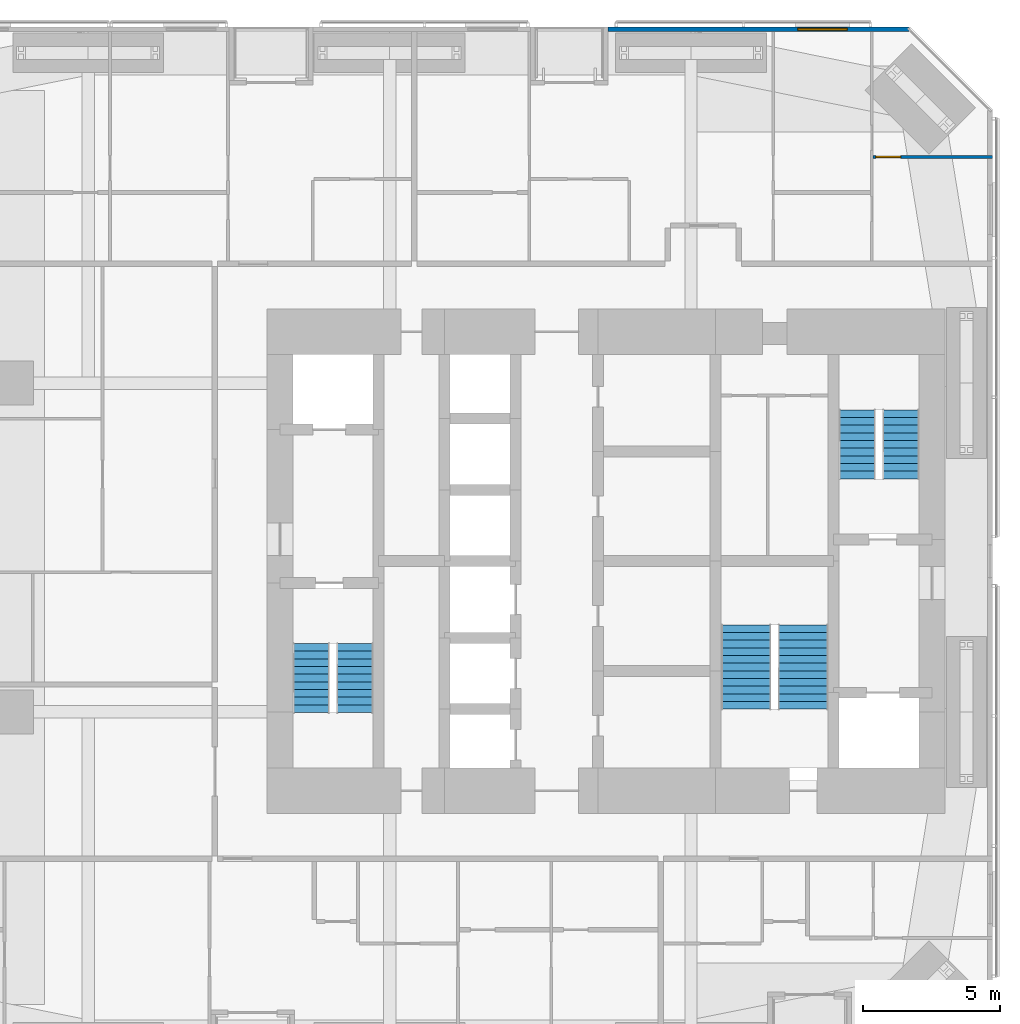
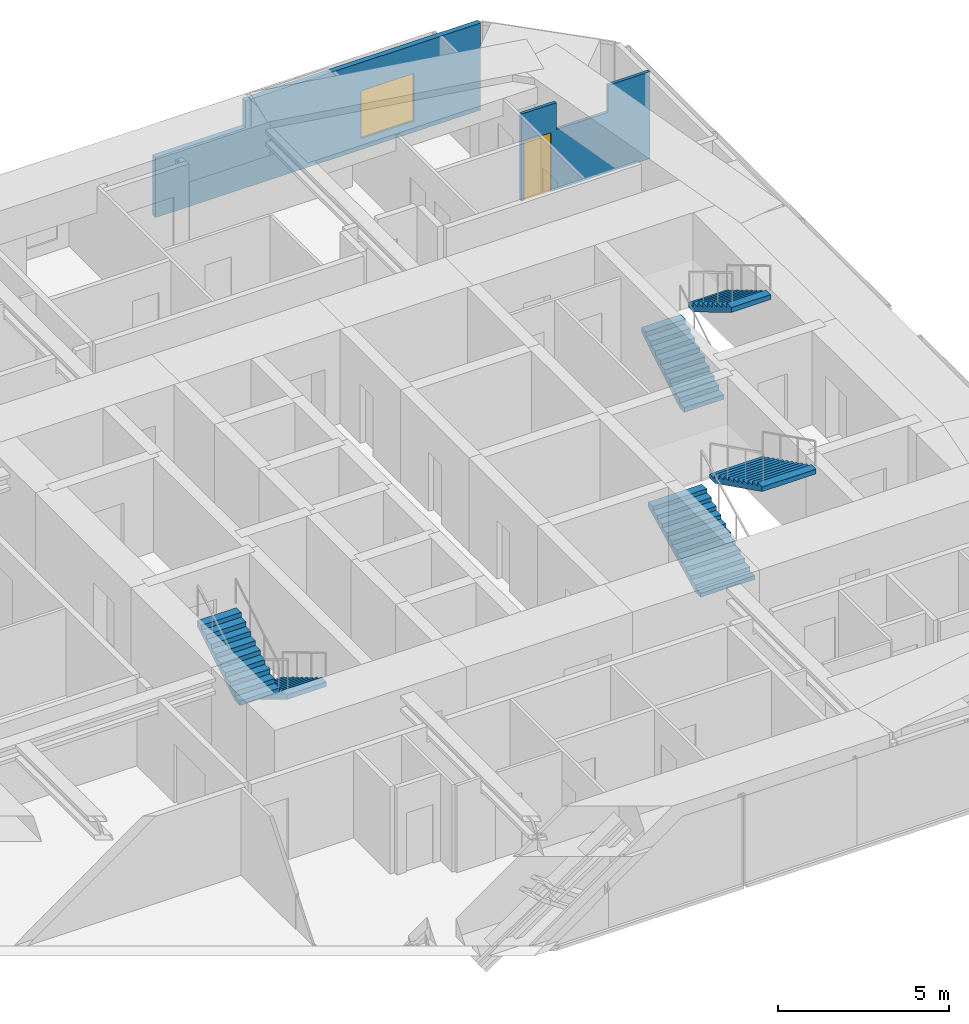
# One storey, part 21 of 22: 6 stair flights, 2 walls, 1 door, 1 window, 2 openings, 3 elements without a shape of their own.
"""IFC4 building model written with IfcOpenShell, lengths in metres."""

import ifcopenshell
import ifcopenshell.guid

model = None  # the IFC model being written
_history = None  # IfcOwnerHistory: only IFC2X3 demands one
_inside = {}  # id of a spatial element -> (the spatial element, [elements in it])
_under = {}  # id of a project, library or spatial element -> (it, [spatial elements below it])
_declared = {}  # id of a project -> (the project, [libraries it declares])
_typed = {}  # id of a type object -> (the type object, [elements of that type])
_made_of = {}  # id of a material, layer set ... -> (it, [elements and type objects made of it])


def new_model(schema):
    """Start an empty IFC model of exactly this schema.

    Asked for "IFC4X3", IfcOpenShell would pick the latest addendum, in which some entities
    have other attributes; the version numbers below select the first issue.
    IFC2X3 requires an IfcOwnerHistory on every rooted entity: one is made here for all.
    """
    global model, _history
    if schema == "IFC4X3":
        model = ifcopenshell.file(schema_version=(4, 3, 0, 0))
    else:
        model = ifcopenshell.file(schema=schema)
    _inside.clear()
    _under.clear()
    _declared.clear()
    _typed.clear()
    _made_of.clear()
    _history = None
    if model.schema == "IFC2X3":
        org = make("IfcOrganization", Name="unknown")
        user = make(
            "IfcPersonAndOrganization",
            ThePerson=make("IfcPerson", FamilyName="unknown"),
            TheOrganization=org,
        )
        app = make(
            "IfcApplication",
            ApplicationDeveloper=org,
            Version="unknown",
            ApplicationFullName="unknown",
            ApplicationIdentifier="unknown",
        )
        _history = make(
            "IfcOwnerHistory",
            OwningUser=user,
            OwningApplication=app,
            ChangeAction="ADDED",
            CreationDate=0,
        )
    return model


def make(cls, **values):
    """One entity of the class cls with the attributes given. An attribute that is None is left unset."""
    return model.create_entity(
        cls, **{name: value for name, value in values.items() if value is not None}
    )


def rooted(cls, **values):
    """An entity with a GlobalId (a new one), such as an element, a storey or a relation."""
    return make(cls, GlobalId=ifcopenshell.guid.new(), OwnerHistory=_history, **values)


def si_unit(unit_type, name, prefix=None):
    """IfcSIUnit, for example si_unit("LENGTHUNIT", "METRE", prefix="MILLI")."""
    return make("IfcSIUnit", UnitType=unit_type, Prefix=prefix, Name=name)


def assignment(units):
    """IfcUnitAssignment: the units of a project."""
    return None if units is None else make("IfcUnitAssignment", Units=units)


def point(xyz):
    """IfcCartesianPoint."""
    return None if xyz is None else make("IfcCartesianPoint", Coordinates=xyz)


def direction(xyz):
    """IfcDirection."""
    return None if xyz is None else make("IfcDirection", DirectionRatios=xyz)


def frame(location, z_axis=None, x_axis=None):
    """IfcAxis2Placement3D, a coordinate frame: its origin and axes. An axis left out is left unset."""
    return make(
        "IfcAxis2Placement3D",
        Location=point(location),
        Axis=direction(z_axis),
        RefDirection=direction(x_axis),
    )


def frame_2d(location, x_axis=None):
    """IfcAxis2Placement2D, a coordinate frame in the plane: its origin and x axis."""
    return make(
        "IfcAxis2Placement2D", Location=point(location), RefDirection=direction(x_axis)
    )


def origin():
    """The frame at (0, 0, 0) with its axes left unset."""
    return frame((0.0, 0.0, 0.0))


def place(relative_to, where):
    """IfcLocalPlacement: puts the frame where relative to a parent placement (None: the world)."""
    return make(
        "IfcLocalPlacement", PlacementRelTo=relative_to, RelativePlacement=where
    )


def context(
    kind, dimensions, precision=None, world=None, true_north=None, identifier=None
):
    """IfcGeometricRepresentationContext, for example the 3D "Model" context."""
    return make(
        "IfcGeometricRepresentationContext",
        ContextIdentifier=identifier,
        ContextType=kind,
        CoordinateSpaceDimension=dimensions,
        Precision=precision,
        WorldCoordinateSystem=world,
        TrueNorth=true_north,
    )


def subcontext(parent, identifier, kind, view, scale=None):
    """IfcGeometricRepresentationSubContext, for example "Body" below "Model"."""
    return make(
        "IfcGeometricRepresentationSubContext",
        ContextIdentifier=identifier,
        ContextType=kind,
        ParentContext=parent,
        TargetScale=scale,
        TargetView=view,
    )


def project(units=None, contexts=None):
    """IfcProject with its units and contexts."""
    return rooted(
        "IfcProject",
        Name="project",
        RepresentationContexts=contexts,
        UnitsInContext=assignment(units),
    )


def spatial(cls, under=None, at=None, **own):
    """A site, building, storey or space (cls), placed at a placement, below another one or the project."""
    s = rooted(cls, ObjectPlacement=at, **own)
    if under is not None:
        _under.setdefault(under.id(), (under, []))[1].append(s)
    return s


def polyline(points):
    """IfcPolyline through the points."""
    return make("IfcPolyline", Points=[point(p) for p in points])


def profile(cls, at=None, kind="AREA", **sizes):
    """A parametric profile (cls). Its sizes go by their IFC names, for example OverallWidth=200.0."""
    return make(cls, ProfileType=kind, Position=at, **sizes)


def rectangle(**sizes):
    """IfcRectangleProfileDef."""
    return profile("IfcRectangleProfileDef", **sizes)


def outline(outer, holes=None, kind="AREA"):
    """IfcArbitraryClosedProfileDef: a profile drawn as a closed curve; with holes, ...WithVoids."""
    if holes is None:
        return make("IfcArbitraryClosedProfileDef", ProfileType=kind, OuterCurve=outer)
    return make(
        "IfcArbitraryProfileDefWithVoids",
        ProfileType=kind,
        OuterCurve=outer,
        InnerCurves=holes,
    )


def extrude(swept, where, along, depth):
    """IfcExtrudedAreaSolid: the profile swept, set in the frame where, extruded along a direction by depth."""
    return make(
        "IfcExtrudedAreaSolid",
        SweptArea=swept,
        Position=where,
        ExtrudedDirection=direction(along),
        Depth=depth,
    )


def shape(context_of_items, identifier, shape_type, items):
    """IfcShapeRepresentation: the items that make up one representation, for example the "Body"."""
    return make(
        "IfcShapeRepresentation",
        ContextOfItems=context_of_items,
        RepresentationIdentifier=identifier,
        RepresentationType=shape_type,
        Items=items,
    )


def material(Name=None, Category=None):
    """IfcMaterial."""
    return make("IfcMaterial", Name=Name, Category=Category)


def constituent(of_material, Name=None, Category=None, fraction=None):
    """IfcMaterialConstituent: one of the materials an element consists of."""
    return make(
        "IfcMaterialConstituent",
        Name=Name,
        Material=of_material,
        Fraction=fraction,
        Category=Category,
    )


def constituent_set(constituents=None, Name=None):
    """IfcMaterialConstituentSet."""
    return make(
        "IfcMaterialConstituentSet", Name=Name, MaterialConstituents=constituents
    )


def made_of(thing, what):
    """Note that an element or type object is made of a material, layer set ...; save() writes the relation."""
    if what is not None:
        _made_of.setdefault(what.id(), (what, []))[1].append(thing)
    return thing


def type_object(cls, material=None, **own):
    """A type object (cls), such as IfcWallType, which elements share."""
    return made_of(rooted(cls, **own), material)


def element(
    cls,
    number,
    at=None,
    inside=None,
    cuts=None,
    type_object=None,
    material=None,
    context=None,
    identifier="Body",
    shape_type=None,
    held_by="IfcProductDefinitionShape",
    body=None,
    shapes=None,
    **own,
):
    """One element of the class cls, such as IfcWall. Its Tag is "e" and its number.

    at: its placement. inside: the storey or other place that contains it. cuts: it is an
    opening in that element (IfcRelVoidsElement). A single representation is given by context,
    identifier, shape_type and body (its items); several are given by shapes. held_by: the class
    of the entity that holds the representations. save() writes the other relations.
    """
    e = rooted(cls, Tag="e%d" % number, ObjectPlacement=at, **own)
    if body is not None:
        shapes = [shape(context, identifier, shape_type, body)]
    if shapes is not None:
        e.Representation = make(held_by, Representations=shapes)
    if inside is not None:
        _inside.setdefault(inside.id(), (inside, []))[1].append(e)
    if cuts is not None:
        rooted(
            "IfcRelVoidsElement", RelatingBuildingElement=cuts, RelatedOpeningElement=e
        )
    if type_object is not None:
        _typed.setdefault(type_object.id(), (type_object, []))[1].append(e)
    return made_of(e, material)


def fill(opening, filler):
    """IfcRelFillsElement: the door or window that sits in an opening."""
    return rooted(
        "IfcRelFillsElement",
        RelatingOpeningElement=opening,
        RelatedBuildingElement=filler,
    )


def aggregate(whole, parts):
    """IfcRelAggregates: a whole, such as a stair, and the parts it consists of."""
    return rooted("IfcRelAggregates", RelatingObject=whole, RelatedObjects=parts)


def save(model, path):
    """Write the relations noted so far, then the file.

    IfcRelAggregates (storeys below a building ...), IfcRelContainedInSpatialStructure (elements
    in a storey), IfcRelDefinesByType, IfcRelAssociatesMaterial and IfcRelDeclares: one each for
    every whole, place, type object, material and project.
    """
    for whole, parts in _under.values():
        aggregate(whole, parts)
    for where, things in _inside.values():
        rooted(
            "IfcRelContainedInSpatialStructure",
            RelatedElements=things,
            RelatingStructure=where,
        )
    for kind, things in _typed.values():
        rooted("IfcRelDefinesByType", RelatedObjects=things, RelatingType=kind)
    for what, things in _made_of.values():
        rooted("IfcRelAssociatesMaterial", RelatedObjects=things, RelatingMaterial=what)
    for by, libraries in _declared.values():
        rooted("IfcRelDeclares", RelatingContext=by, RelatedDefinitions=libraries)
    model.write(path)


model = new_model("IFC4")

# Units and contexts
model_context = context("Model", 3, precision=1e-05, world=origin(), true_north=direction((0.0, 1.0)))
body_context = subcontext(model_context, "Body", "Model", "MODEL_VIEW")
ifc_project = project(units=[si_unit("LENGTHUNIT", "METRE"), si_unit("AREAUNIT", "SQUARE_METRE"), si_unit("VOLUMEUNIT", "CUBIC_METRE"), si_unit("PLANEANGLEUNIT", "RADIAN"), si_unit("MASSUNIT", "GRAM", prefix="KILO")], contexts=[model_context])

# Site, building, storey
site_placement = place(None, origin())
site = spatial("IfcSite", under=ifc_project, at=site_placement, CompositionType="ELEMENT")
building_placement = place(site_placement, origin())
building = spatial("IfcBuilding", under=site, at=building_placement, Name="Jalousie Tower", CompositionType="ELEMENT")
storey_placement = place(building_placement, frame((0.0, 0.0, 64.550048828125)))
storey = spatial("IfcBuildingStorey", under=building, at=storey_placement, Name="L17", CompositionType="ELEMENT", Elevation=64.550048828125)

# Wall, opening, window
ifc_material_1 = material(Name="Concrete f'c 40 MPa", Category="concrete")
ifc_constituent_1 = constituent(ifc_material_1, Name="Body")
ifc_material_2 = material(Name="Render, pastel coral")
ifc_constituent_2 = constituent(ifc_material_2, Name="Finish")
ifc_constituent_set_1 = constituent_set(constituents=[ifc_constituent_1, ifc_constituent_2])
wall_type_1 = type_object("IfcWallType", Name="EXTERNAL WALL 175 CORAL RENDER", PredefinedType="SOLIDWALL", material=ifc_constituent_set_1)
wall_1_placement = place(storey_placement, frame((42.94873046875, 37.91259765625, 0.0), z_axis=(0.0, 0.0, 1.0), x_axis=(-1.0, 0.0, 0.0)))
wall_1 = element("IfcWall", 1, at=wall_1_placement, inside=storey, type_object=wall_type_1, Name="External Wall 175 Coral Render L17", PredefinedType="SOLIDWALL", context=body_context, shape_type="SweptSolid", body=[
    extrude(outline(polyline([(0.0, 0.0), (10.9736328125, 0.0), (10.9736328125, 2.14990234375), (7.94873046875, 2.14990234375), (7.94873046875, 3.10986328125), (7.79296875, 3.10986328125), (7.79296875, 2.14990234375), (7.74462890625, 2.14990234375), (7.74462890625, 3.10986328125), (0.0, 3.10986328125), (0.0, 0.0)])), frame((0.0, 0.08740234375, 0.0), z_axis=(0.0, -1.0, 0.0), x_axis=(1.0, 0.0, 0.0)), (0.0, 0.0, 1.0), 0.175048828125),
])
opening_1_placement = place(wall_1_placement, frame((2.248779296875, 0.0, 0.39990234375)))
opening_1 = element("IfcOpeningElement", 2, at=opening_1_placement, cuts=wall_1, Name="Opening W-BED170", PredefinedType="OPENING", context=body_context, shape_type="SweptSolid", body=[
    extrude(rectangle(XDim=1.800048828125, YDim=1.699951171875, at=frame_2d((0.89990234375, 0.85009765625))), frame((0.0, 0.097412109375, 0.0), z_axis=(0.0, -1.0, 0.0), x_axis=(1.0, 0.0, 0.0)), (0.0, 0.0, 1.0), 0.195068359375),
])
ifc_material_3 = material(Name="Aluminium frame, impact-rated glazing", Category="aluminium")
window_type = type_object("IfcWindowType", Name="WINDOW BED 1800x1700", PartitioningType="SINGLE_PANEL", PredefinedType="WINDOW", material=ifc_material_3)
window_placement = place(opening_1_placement, origin())
window = element("IfcWindow", 3, at=window_placement, inside=storey, type_object=window_type, Name="Apartment 1704 bedroom 2 window", OverallHeight=1.699951171875, OverallWidth=1.800048828125, PartitioningType="SINGLE_PANEL", PredefinedType="WINDOW", context=body_context, shape_type="SweptSolid", body=[
    extrude(rectangle(XDim=1.800048828125, YDim=1.699951171875, at=frame_2d((0.89990234375, 0.85009765625))), frame((0.0, 0.030029296875, 0.0), z_axis=(0.0, -1.0, 0.0), x_axis=(1.0, 0.0, 0.0)), (0.0, 0.0, 1.0), 0.06005859375),
])
fill(opening_1, window)

# Wall, opening, door
ifc_material_4 = material(Name="Gypsum board", Category="gypsum")
ifc_constituent_3 = constituent(ifc_material_4, Name="Body")
ifc_material_5 = material(Name="Light-gauge steel studs ASTM A653 SS Grade 33", Category="steel")
ifc_constituent_4 = constituent(ifc_material_5, Name="Framing")
ifc_constituent_set_2 = constituent_set(constituents=[ifc_constituent_3, ifc_constituent_4])
wall_type_2 = type_object("IfcWallType", Name="PARTITION 100", PredefinedType="PARTITIONING", material=ifc_constituent_set_2)
wall_2_placement = place(storey_placement, frame((41.64990234375, 33.25341796875, 0.0), z_axis=(0.0, 0.0, 1.0), x_axis=(1.0, 0.0, 0.0)))
wall_2 = element("IfcWall", 4, at=wall_2_placement, inside=storey, type_object=wall_type_2, Name="Partition 100 L17", PredefinedType="PARTITIONING", context=body_context, shape_type="SweptSolid", body=[
    extrude(outline(polyline([(0.0, 0.0), (4.35009765625, 0.0), (4.35009765625, 3.10986328125), (2.932861328125, 3.10986328125), (2.932861328125, 2.14990234375), (1.1904296875, 2.14990234375), (1.1904296875, 3.10986328125), (0.0, 3.10986328125), (0.0, 0.0)])), frame((0.0, 0.050048828125, 0.0), z_axis=(0.0, -1.0, 0.0), x_axis=(1.0, 0.0, 0.0)), (0.0, 0.0, 1.0), 0.10009765625),
])
opening_2_placement = place(wall_2_placement, frame((0.10009765625, 0.0, 0.0)))
opening_2 = element("IfcOpeningElement", 5, at=opening_2_placement, cuts=wall_2, Name="Opening D7", PredefinedType="OPENING", context=body_context, shape_type="SweptSolid", body=[
    extrude(rectangle(XDim=0.89990234375, YDim=2.10009765625, at=frame_2d((0.449951171875, 1.050048828125))), frame((0.0, 0.06005859375, 0.0), z_axis=(0.0, -1.0, 0.0), x_axis=(1.0, 0.0, 0.0)), (0.0, 0.0, 1.0), 0.1201171875),
])
ifc_material_6 = material(Name="Timber door", Category="wood")
door_type = type_object("IfcDoorType", Name="INTERNAL DOOR 900", OperationType="SINGLE_SWING_LEFT", PredefinedType="DOOR", material=ifc_material_6)
door_placement = place(opening_2_placement, frame((0.89990234375, 0.0, 0.0), z_axis=(0.0, 0.0, 1.0), x_axis=(-1.0, 0.0, 0.0)))
door = element("IfcDoor", 6, at=door_placement, inside=storey, type_object=door_type, Name="Apartment 1704 bedroom 3 dressing hall door", OperationType="SINGLE_SWING_RIGHT", OverallHeight=2.10009765625, OverallWidth=0.89990234375, PredefinedType="DOOR", context=body_context, shape_type="SweptSolid", body=[
    extrude(rectangle(XDim=0.89990234375, YDim=2.10009765625, at=frame_2d((0.449951171875, 1.050048828125))), frame((0.0, 0.02490234375, 0.0), z_axis=(0.0, -1.0, 0.0), x_axis=(1.0, 0.0, 0.0)), (0.0, 0.0, 1.0), 0.050048828125),
])
fill(opening_2, door)

# Stair, stair flights
ifc_material_7 = material(Name="Concrete f'c 40 MPa", Category="concrete")
stair_type = type_object("IfcStairType", Name="EXIT STAIR", PredefinedType="HALF_TURN_STAIR", material=ifc_material_7)
stair_1_placement = place(storey_placement, origin())
stair_1 = element("IfcStair", 7, at=stair_1_placement, inside=storey, type_object=stair_type, Name="Exit stair A L17", PredefinedType="HALF_TURN_STAIR")
ifc_material_8 = material(Name="Concrete f'c 40 MPa", Category="concrete")
stair_flight_type = type_object("IfcStairFlightType", Name="STAIR FLIGHT", PredefinedType="STRAIGHT", material=ifc_material_8)
stair_flight_1_placement = place(storey_placement, frame((22.731201171875, 15.49755859375, 0.0), z_axis=(0.0, 0.0, 1.0), x_axis=(0.0, -1.0, 0.0)))
stair_flight_1 = element("IfcStairFlight", 8, at=stair_flight_1_placement, type_object=stair_flight_type, Name="ST-A flight 1", NumberOfRisers=10, NumberOfTreads=9, PredefinedType="STRAIGHT", RiserHeight=0.1675, TreadLength=0.28, context=body_context, shape_type="SweptSolid", body=[
    extrude(outline(polyline([(0.0, 0.0), (0.0, 0.16748046875), (0.280029296875, 0.16748046875), (0.280029296875, 0.3349609375), (0.56005859375, 0.3349609375), (0.56005859375, 0.50244140625), (0.840087890625, 0.50244140625), (0.840087890625, 0.669921875), (1.1201171875, 0.669921875), (1.1201171875, 0.83740234375), (1.39990234375, 0.83740234375), (1.39990234375, 1.0048828125), (1.679931640625, 1.0048828125), (1.679931640625, 1.172607421875), (1.9599609375, 1.172607421875), (1.9599609375, 1.340087890625), (2.239990234375, 1.340087890625), (2.239990234375, 1.507568359375), (2.52001953125, 1.507568359375), (2.52001953125, 1.675048828125), (2.52001953125, 1.332763671875), (0.2919921875, 0.0), (0.0, 0.0)])), frame((0.0, 0.668701171875, 0.0), z_axis=(0.0, -1.0, 0.0), x_axis=(1.0, 0.0, 0.0)), (0.0, 0.0, 1.0), 1.33740234375),
])
stair_flight_2_placement = place(storey_placement, frame((21.143798828125, 12.9775390625, 1.675048828125), z_axis=(0.0, 0.0, 1.0), x_axis=(0.0, 1.0, 0.0)))
stair_flight_2 = element("IfcStairFlight", 9, at=stair_flight_2_placement, type_object=stair_flight_type, Name="ST-A flight 2", NumberOfRisers=10, NumberOfTreads=9, PredefinedType="STRAIGHT", RiserHeight=0.1675, TreadLength=0.28, context=body_context, shape_type="SweptSolid", body=[
    extrude(outline(polyline([(0.0, 0.0), (0.0, 0.16748046875), (0.280029296875, 0.16748046875), (0.280029296875, 0.3349609375), (0.56005859375, 0.3349609375), (0.56005859375, 0.50244140625), (0.840087890625, 0.50244140625), (0.840087890625, 0.669921875), (1.1201171875, 0.669921875), (1.1201171875, 0.83740234375), (1.39990234375, 0.83740234375), (1.39990234375, 1.0048828125), (1.679931640625, 1.0048828125), (1.679931640625, 1.172607421875), (1.9599609375, 1.172607421875), (1.9599609375, 1.340087890625), (2.239990234375, 1.340087890625), (2.239990234375, 1.507568359375), (2.52001953125, 1.507568359375), (2.52001953125, 1.675048828125), (2.52001953125, 1.332763671875), (0.2919921875, 0.0), (0.0, 0.0)])), frame((0.0, 0.668701171875, 0.0), z_axis=(0.0, -1.0, 0.0), x_axis=(1.0, 0.0, 0.0)), (0.0, 0.0, 1.0), 1.33740234375),
])
aggregate(stair_1, [stair_flight_1, stair_flight_2])

stair_2_placement = place(storey_placement, origin())
stair_2 = element("IfcStair", 10, at=stair_2_placement, inside=storey, type_object=stair_type, Name="Exit stair B L17", PredefinedType="HALF_TURN_STAIR")
stair_flight_3_placement = place(storey_placement, frame((41.06884765625, 21.50244140625, 0.0), z_axis=(0.0, 0.0, 1.0), x_axis=(0.0, 1.0, 0.0)))
stair_flight_3 = element("IfcStairFlight", 11, at=stair_flight_3_placement, type_object=stair_flight_type, Name="ST-B flight 1", NumberOfRisers=10, NumberOfTreads=9, PredefinedType="STRAIGHT", RiserHeight=0.1675, TreadLength=0.28, context=body_context, shape_type="SweptSolid", body=[
    extrude(outline(polyline([(0.0, 0.0), (0.0, 0.16748046875), (0.280029296875, 0.16748046875), (0.280029296875, 0.3349609375), (0.56005859375, 0.3349609375), (0.56005859375, 0.50244140625), (0.840087890625, 0.50244140625), (0.840087890625, 0.669921875), (1.1201171875, 0.669921875), (1.1201171875, 0.83740234375), (1.39990234375, 0.83740234375), (1.39990234375, 1.0048828125), (1.679931640625, 1.0048828125), (1.679931640625, 1.172607421875), (1.9599609375, 1.172607421875), (1.9599609375, 1.340087890625), (2.239990234375, 1.340087890625), (2.239990234375, 1.507568359375), (2.52001953125, 1.507568359375), (2.52001953125, 1.675048828125), (2.52001953125, 1.332763671875), (0.2919921875, 0.0), (0.0, 0.0)])), frame((0.0, 0.668701171875, 0.0), z_axis=(0.0, -1.0, 0.0), x_axis=(1.0, 0.0, 0.0)), (0.0, 0.0, 1.0), 1.33740234375),
])
stair_flight_4_placement = place(storey_placement, frame((42.65625, 24.0224609375, 1.675048828125), z_axis=(0.0, 0.0, 1.0), x_axis=(0.0, -1.0, 0.0)))
stair_flight_4 = element("IfcStairFlight", 12, at=stair_flight_4_placement, type_object=stair_flight_type, Name="ST-B flight 2", NumberOfRisers=10, NumberOfTreads=9, PredefinedType="STRAIGHT", RiserHeight=0.1675, TreadLength=0.28, context=body_context, shape_type="SweptSolid", body=[
    extrude(outline(polyline([(0.0, 0.0), (0.0, 0.16748046875), (0.280029296875, 0.16748046875), (0.280029296875, 0.3349609375), (0.56005859375, 0.3349609375), (0.56005859375, 0.50244140625), (0.840087890625, 0.50244140625), (0.840087890625, 0.669921875), (1.1201171875, 0.669921875), (1.1201171875, 0.83740234375), (1.39990234375, 0.83740234375), (1.39990234375, 1.0048828125), (1.679931640625, 1.0048828125), (1.679931640625, 1.172607421875), (1.9599609375, 1.172607421875), (1.9599609375, 1.340087890625), (2.239990234375, 1.340087890625), (2.239990234375, 1.507568359375), (2.52001953125, 1.507568359375), (2.52001953125, 1.675048828125), (2.52001953125, 1.332763671875), (0.2919921875, 0.0), (0.0, 0.0)])), frame((0.0, 0.668701171875, 0.0), z_axis=(0.0, -1.0, 0.0), x_axis=(1.0, 0.0, 0.0)), (0.0, 0.0, 1.0), 1.33740234375),
])
aggregate(stair_2, [stair_flight_3, stair_flight_4])

stair_3_placement = place(storey_placement, origin())
stair_3 = element("IfcStair", 13, at=stair_3_placement, inside=storey, type_object=stair_type, Name="Exit stair C L17", PredefinedType="HALF_TURN_STAIR")
stair_flight_5_placement = place(storey_placement, frame((37.012451171875, 13.097412109375, 0.0), z_axis=(0.0, 0.0, 1.0), x_axis=(0.0, 1.0, 0.0)))
stair_flight_5 = element("IfcStairFlight", 14, at=stair_flight_5_placement, type_object=stair_flight_type, Name="ST-C flight 1", NumberOfRisers=12, NumberOfTreads=11, PredefinedType="STRAIGHT", RiserHeight=0.139583333, TreadLength=0.28, context=body_context, shape_type="SweptSolid", body=[
    extrude(outline(polyline([(0.0, 0.0), (0.0, 0.1396484375), (0.280029296875, 0.1396484375), (0.280029296875, 0.279052734375), (0.56005859375, 0.279052734375), (0.56005859375, 0.418701171875), (0.840087890625, 0.418701171875), (0.840087890625, 0.558349609375), (1.1201171875, 0.558349609375), (1.1201171875, 0.697998046875), (1.39990234375, 0.697998046875), (1.39990234375, 0.83740234375), (1.679931640625, 0.83740234375), (1.679931640625, 0.97705078125), (1.9599609375, 0.97705078125), (1.9599609375, 1.11669921875), (2.239990234375, 1.11669921875), (2.239990234375, 1.25634765625), (2.52001953125, 1.25634765625), (2.52001953125, 1.395751953125), (2.800048828125, 1.395751953125), (2.800048828125, 1.535400390625), (3.080078125, 1.535400390625), (3.080078125, 1.675048828125), (3.080078125, 1.367919921875), (0.3359375, 0.0), (0.0, 0.0)])), frame((0.0, 0.91259765625, 0.0), z_axis=(0.0, -1.0, 0.0), x_axis=(1.0, 0.0, 0.0)), (0.0, 0.0, 1.0), 1.824951171875),
])
stair_flight_6_placement = place(storey_placement, frame((39.08740234375, 16.177490234375, 1.675048828125), z_axis=(0.0, 0.0, 1.0), x_axis=(0.0, -1.0, 0.0)))
stair_flight_6 = element("IfcStairFlight", 15, at=stair_flight_6_placement, type_object=stair_flight_type, Name="ST-C flight 2", NumberOfRisers=12, NumberOfTreads=11, PredefinedType="STRAIGHT", RiserHeight=0.139583333, TreadLength=0.28, context=body_context, shape_type="SweptSolid", body=[
    extrude(outline(polyline([(0.0, 0.0), (0.0, 0.1396484375), (0.280029296875, 0.1396484375), (0.280029296875, 0.279052734375), (0.56005859375, 0.279052734375), (0.56005859375, 0.418701171875), (0.840087890625, 0.418701171875), (0.840087890625, 0.558349609375), (1.1201171875, 0.558349609375), (1.1201171875, 0.697998046875), (1.39990234375, 0.697998046875), (1.39990234375, 0.83740234375), (1.679931640625, 0.83740234375), (1.679931640625, 0.97705078125), (1.9599609375, 0.97705078125), (1.9599609375, 1.11669921875), (2.239990234375, 1.11669921875), (2.239990234375, 1.25634765625), (2.52001953125, 1.25634765625), (2.52001953125, 1.395751953125), (2.800048828125, 1.395751953125), (2.800048828125, 1.535400390625), (3.080078125, 1.535400390625), (3.080078125, 1.675048828125), (3.080078125, 1.367919921875), (0.3359375, 0.0), (0.0, 0.0)])), frame((0.0, 0.91259765625, 0.0), z_axis=(0.0, -1.0, 0.0), x_axis=(1.0, 0.0, 0.0)), (0.0, 0.0, 1.0), 1.824951171875),
])
aggregate(stair_3, [stair_flight_5, stair_flight_6])

save(model, "model.ifc")
